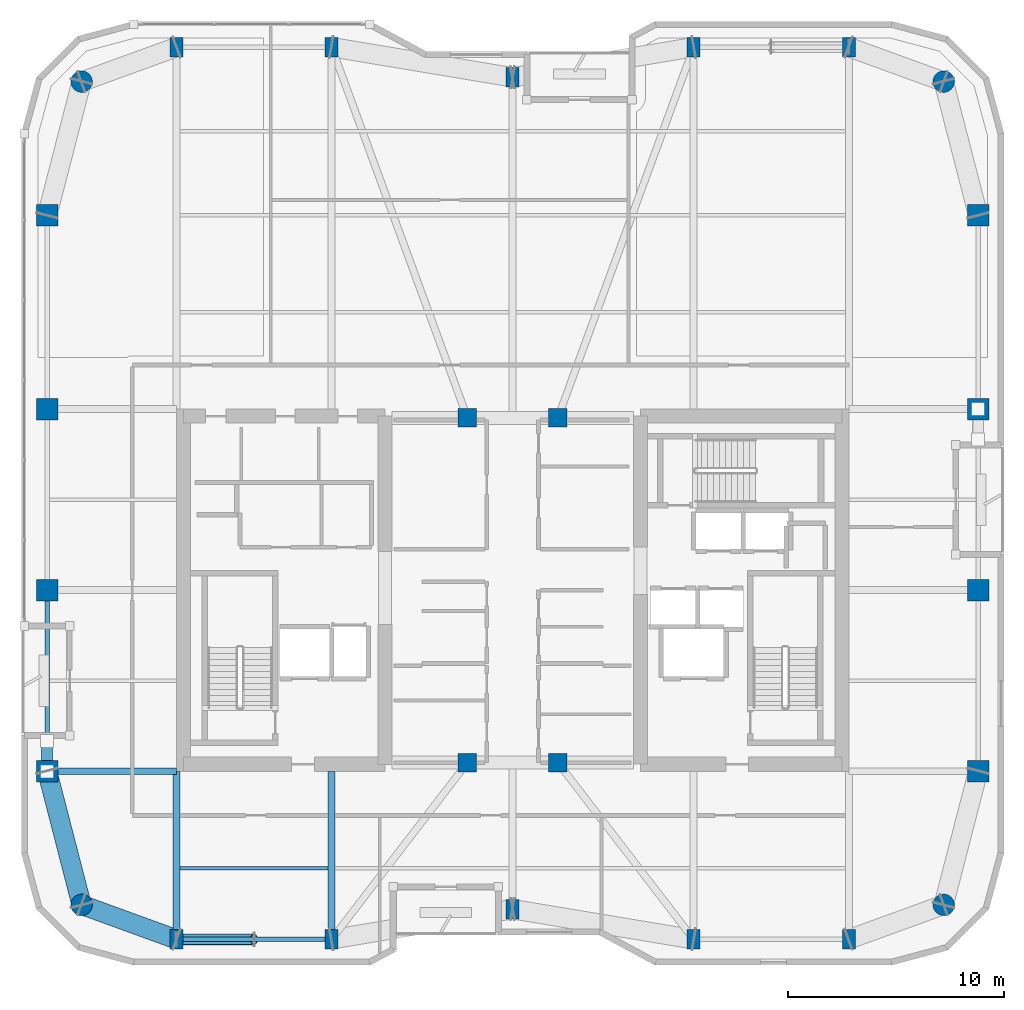
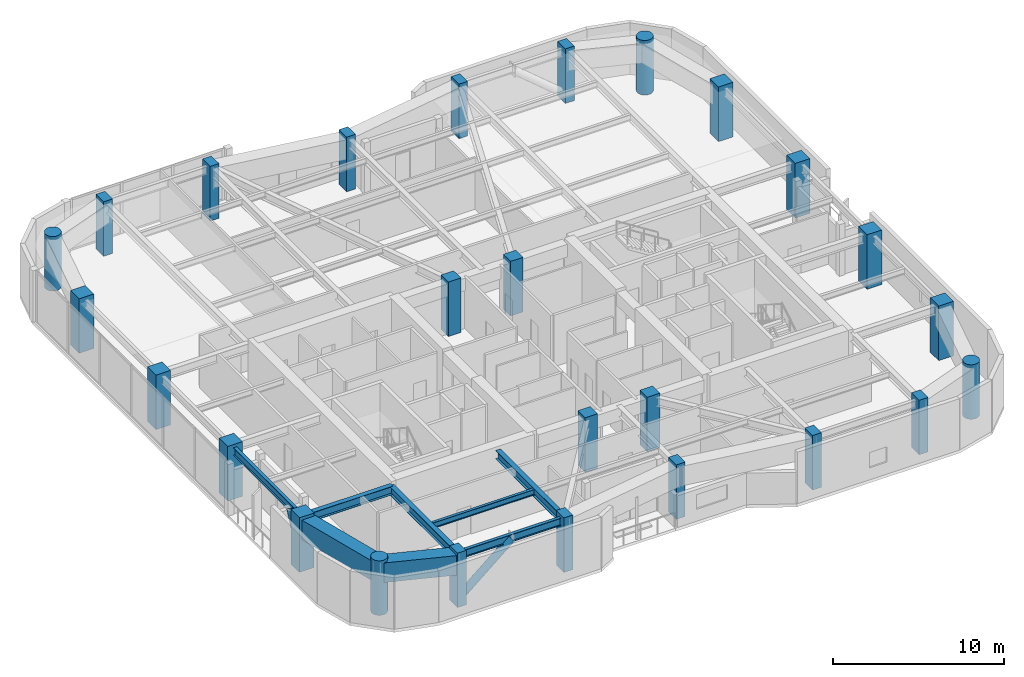
# One storey, part 1 of 21: 26 columns, 8 beams, 2 members.
"""IFC4 building model written with IfcOpenShell, lengths in metres."""

from ifc_helpers import new_model, si_unit, direction, frame, origin, origin_2d, place, context, subcontext, project, spatial, rectangle, hollow_rectangle, circle, hollow_circle, i_section, extrude, material, material_profile, profile_set, type_object, element, save


model = new_model("IFC4")

# Units and contexts
model_context = context("Model", 3, precision=1e-05, world=origin(), true_north=direction((0.0, 1.0)))
body_context = subcontext(model_context, "Body", "Model", "MODEL_VIEW")
ifc_project = project(units=[si_unit("LENGTHUNIT", "METRE"), si_unit("AREAUNIT", "SQUARE_METRE"), si_unit("VOLUMEUNIT", "CUBIC_METRE"), si_unit("PLANEANGLEUNIT", "RADIAN"), si_unit("MASSUNIT", "GRAM", prefix="KILO")], contexts=[model_context])

# Site, building, storey
site_placement = place(None, origin())
site = spatial("IfcSite", under=ifc_project, at=site_placement, CompositionType="ELEMENT")
building_placement = place(site_placement, origin())
building = spatial("IfcBuilding", under=site, at=building_placement, Name="Kiyonajd Concourse Tower", CompositionType="ELEMENT")
storey_placement = place(building_placement, frame((0.0, 0.0, 231.0)))
storey = spatial("IfcBuildingStorey", under=building, at=storey_placement, Name="L58", CompositionType="ELEMENT", Elevation=231.0)

# Columns
ifc_material_1 = material(Name="Concrete C60/75", Category="concrete")
ifc_material_profile_1 = material_profile(ifc_material_1, rectangle(XDim=0.60009765625, YDim=0.89990234375, at=origin_2d()), Name="RC-900x600")
ifc_profile_set_1 = profile_set([ifc_material_profile_1], Name="Concrete C60/75")
column_type_1 = type_object("IfcColumnType", Name="CL-BLADE-900", PredefinedType="COLUMN", material=ifc_profile_set_1)
for number, where, z_axis, x_axis, name in (
    (1, (32.39990234375, 19.800048828125, 0.0), (0.0, 0.0, 1.0), (1.0, 0.0, 0.0), "L58 Perimeter Bundled Tube Column"),
    (2, (32.39990234375, 61.199951171875, 0.0), (0.0, 0.0, 1.0), (1.0, 0.0, 0.0), "L58 Perimeter Bundled Tube Column"),
    (3, (39.60009765625, 19.800048828125, 0.0), (0.0, 0.0, 1.0), (1.0, 0.0, 0.0), "L58 Perimeter Bundled Tube Column"),
    (4, (39.60009765625, 61.199951171875, 0.0), (0.0, 0.0, 1.0), (1.0, 0.0, 0.0), "L58 Perimeter Bundled Tube Column"),
    (5, (48.0, 21.199951171875, 0.0), (0.0, 0.0, 1.0), (1.0, 0.0, 0.0), "L58 Perimeter Bundled Tube Column"),
    (6, (48.0, 59.800048828125, 0.0), (0.0, 0.0, 1.0), (1.0, 0.0, 0.0), "L58 Perimeter Bundled Tube Column"),
    (7, (56.39990234375, 19.800048828125, 0.0), (0.0, 0.0, 1.0), (1.0, 0.0, 0.0), "L58 Perimeter Bundled Tube Column"),
    (8, (56.39990234375, 61.199951171875, 0.0), (0.0, 0.0, 1.0), (1.0, 0.0, 0.0), "L58 Perimeter Bundled Tube Column"),
    (9, (63.60009765625, 19.800048828125, 0.0), (0.0, 0.0, 1.0), (1.0, 0.0, 0.0), "L58 Perimeter Bundled Tube Column"),
    (10, (63.60009765625, 61.199951171875, 0.0), (0.0, 0.0, 1.0), (1.0, 0.0, 0.0), "L58 Perimeter Bundled Tube Column"),
):
    element("IfcColumn", number, at=place(storey_placement, frame(where, z_axis=z_axis, x_axis=x_axis)), inside=storey, type_object=column_type_1, Name=name, PredefinedType="COLUMN", context=body_context, shape_type="SweptSolid", body=[
        extrude(rectangle(XDim=0.60009765625, YDim=0.89990234375, at=origin_2d()), origin(), (0.0, 0.0, 1.0), 3.89990234375),
    ])
ifc_material_profile_2 = material_profile(ifc_material_1, circle(Radius=0.5, at=origin_2d()), Name="RCC-D1000")
ifc_profile_set_2 = profile_set([ifc_material_profile_2], Name="Concrete C60/75")
column_type_2 = type_object("IfcColumnType", Name="CL-RND-1000", PredefinedType="COLUMN", material=ifc_profile_set_2)
for number, where, z_axis, x_axis, name in (
    (11, (28.0, 21.39990234375, 0.0), (0.0, 0.0, 1.0), (1.0, 0.0, 0.0), "L58 Bundled Tube Corner Column South West"),
    (12, (68.0, 21.39990234375, 0.0), (0.0, 0.0, 1.0), (1.0, 0.0, 0.0), "L58 Bundled Tube Corner Column South East"),
    (13, (68.0, 59.60009765625, 0.0), (0.0, 0.0, 1.0), (1.0, 0.0, 0.0), "L58 Bundled Tube Corner Column North East"),
    (14, (28.0, 59.60009765625, 0.0), (0.0, 0.0, 1.0), (1.0, 0.0, 0.0), "L58 Bundled Tube Corner Column North West"),
):
    element("IfcColumn", number, at=place(storey_placement, frame(where, z_axis=z_axis, x_axis=x_axis)), inside=storey, type_object=column_type_2, Name=name, PredefinedType="COLUMN", context=body_context, shape_type="SweptSolid", body=[
        extrude(circle(Radius=0.5, at=origin_2d()), origin(), (0.0, 0.0, 1.0), 3.89990234375),
    ])
ifc_material_profile_3 = material_profile(ifc_material_1, rectangle(XDim=1.0, YDim=1.0, at=origin_2d()), Name="RC-1000x1000")
ifc_profile_set_3 = profile_set([ifc_material_profile_3], Name="Concrete C60/75")
column_type_3 = type_object("IfcColumnType", Name="CL-TUBE-1000", PredefinedType="COLUMN", material=ifc_profile_set_3)
for number, where, z_axis, x_axis, name in (
    (15, (26.39990234375, 27.60009765625, 0.0), (0.0, 0.0, 1.0), (1.0, 0.0, 0.0), "L58 Perimeter Bundled Tube Column"),
    (16, (69.60009765625, 27.60009765625, 0.0), (0.0, 0.0, 1.0), (1.0, 0.0, 0.0), "L58 Perimeter Bundled Tube Column"),
    (17, (26.39990234375, 36.0, 0.0), (0.0, 0.0, 1.0), (1.0, 0.0, 0.0), "L58 Perimeter Bundled Tube Column"),
    (18, (69.60009765625, 36.0, 0.0), (0.0, 0.0, 1.0), (1.0, 0.0, 0.0), "L58 Perimeter Bundled Tube Column"),
    (19, (26.39990234375, 44.39990234375, 0.0), (0.0, 0.0, 1.0), (1.0, 0.0, 0.0), "L58 Perimeter Bundled Tube Column"),
    (20, (69.60009765625, 44.39990234375, 0.0), (0.0, 0.0, 1.0), (1.0, 0.0, 0.0), "L58 Perimeter Bundled Tube Column"),
    (21, (26.39990234375, 53.39990234375, 0.0), (0.0, 0.0, 1.0), (1.0, 0.0, 0.0), "L58 Perimeter Bundled Tube Column"),
    (22, (69.60009765625, 53.39990234375, 0.0), (0.0, 0.0, 1.0), (1.0, 0.0, 0.0), "L58 Perimeter Bundled Tube Column"),
):
    element("IfcColumn", number, at=place(storey_placement, frame(where, z_axis=z_axis, x_axis=x_axis)), inside=storey, type_object=column_type_3, Name=name, PredefinedType="COLUMN", context=body_context, shape_type="SweptSolid", body=[
        extrude(rectangle(XDim=1.0, YDim=1.0, at=origin_2d()), origin(), (0.0, 0.0, 1.0), 3.89990234375),
    ])
ifc_material_profile_4 = material_profile(ifc_material_1, rectangle(XDim=0.85009765625, YDim=0.85009765625, at=origin_2d()), Name="RC-850x850")
ifc_profile_set_4 = profile_set([ifc_material_profile_4], Name="Concrete C60/75")
column_type_4 = type_object("IfcColumnType", Name="CL-TUBE-850", PredefinedType="COLUMN", material=ifc_profile_set_4)
for number, where, z_axis, x_axis, name in (
    (23, (45.89990234375, 28.0, 0.0), (0.0, 0.0, 1.0), (1.0, 0.0, 0.0), "L58 Core Tie Column South West"),
    (24, (50.10009765625, 28.0, 0.0), (0.0, 0.0, 1.0), (1.0, 0.0, 0.0), "L58 Core Tie Column South East"),
    (25, (45.89990234375, 44.0, 0.0), (0.0, 0.0, 1.0), (1.0, 0.0, 0.0), "L58 Core Tie Column North West"),
    (26, (50.10009765625, 44.0, 0.0), (0.0, 0.0, 1.0), (1.0, 0.0, 0.0), "L58 Core Tie Column North East"),
):
    element("IfcColumn", number, at=place(storey_placement, frame(where, z_axis=z_axis, x_axis=x_axis)), inside=storey, type_object=column_type_4, Name=name, PredefinedType="COLUMN", context=body_context, shape_type="SweptSolid", body=[
        extrude(rectangle(XDim=0.85009765625, YDim=0.85009765625, at=origin_2d()), origin(), (0.0, 0.0, 1.0), 3.89990234375),
    ])

# Beams
ifc_material_2 = material(Name="Steel ASTM A992 Grade 50", Category="steel")
ifc_material_profile_5 = material_profile(ifc_material_2, i_section(OverallWidth=0.180908203125, OverallDepth=0.4169921875, WebThickness=0.010986328125, FlangeThickness=0.018310546875, at=origin_2d()), Name="W410X85")
ifc_profile_set_5 = profile_set([ifc_material_profile_5], Name="Steel ASTM A992 Grade 50")
beam_type_1 = type_object("IfcBeamType", Name="BM-JST-410", PredefinedType="JOIST", material=ifc_profile_set_5)
beam_1_placement = place(storey_placement, frame((32.56201171875, 23.10009765625, 3.471435546875), z_axis=(1.0, 0.0, 0.0), x_axis=(0.0, 1.0, 0.0)))
element("IfcBeam", 27, at=beam_1_placement, inside=storey, type_object=beam_type_1, Name="L58 Secondary Floor Joist", PredefinedType="JOIST", context=body_context, shape_type="SweptSolid", body=[
    extrude(i_section(OverallWidth=0.180908203125, OverallDepth=0.4169921875, WebThickness=0.010986328125, FlangeThickness=0.018310546875, at=origin_2d()), origin(), (0.0, 0.0, 1.0), 6.8759765625),
])
ifc_material_profile_6 = material_profile(ifc_material_2, i_section(OverallWidth=0.214111328125, OverallDepth=0.549072265625, WebThickness=0.0146484375, FlangeThickness=0.023681640625, at=origin_2d()), Name="W530X138")
ifc_profile_set_6 = profile_set([ifc_material_profile_6], Name="Steel ASTM A992 Grade 50")
beam_type_2 = type_object("IfcBeamType", Name="BM-SPAN-530A", PredefinedType="SPANDREL", material=ifc_profile_set_6)
beam_2_placement = place(storey_placement, frame((32.39990234375, 19.800048828125, 3.405517578125), z_axis=(1.0, 0.0, 0.0), x_axis=(0.0, 1.0, 0.0)))
element("IfcBeam", 28, at=beam_2_placement, inside=storey, type_object=beam_type_2, Name="L58 Perimeter Bundled Tube Spandrel", PredefinedType="SPANDREL", context=body_context, shape_type="SweptSolid", body=[
    extrude(i_section(OverallWidth=0.214111328125, OverallDepth=0.549072265625, WebThickness=0.0146484375, FlangeThickness=0.023681640625, at=origin_2d()), origin(), (0.0, 0.0, 1.0), 7.2001953125),
])
beam_3_placement = place(storey_placement, frame((26.39990234375, 36.0, 3.405517578125), z_axis=(0.0, -1.0, 0.0), x_axis=(1.0, 0.0, 0.0)))
element("IfcBeam", 29, at=beam_3_placement, inside=storey, type_object=beam_type_2, Name="L58 Perimeter Bundled Tube Spandrel", PredefinedType="SPANDREL", context=body_context, shape_type="SweptSolid", body=[
    extrude(i_section(OverallWidth=0.214111328125, OverallDepth=0.549072265625, WebThickness=0.0146484375, FlangeThickness=0.023681640625, at=origin_2d()), origin(), (0.0, 0.0, 1.0), 8.39990234375),
])
ifc_material_profile_7 = material_profile(ifc_material_2, i_section(OverallWidth=0.323974609375, OverallDepth=0.611083984375, WebThickness=0.0126953125, FlangeThickness=0.01904296875, at=origin_2d()), Name="W610X155")
ifc_profile_set_7 = profile_set([ifc_material_profile_7], Name="Steel ASTM A992 Grade 50")
beam_type_3 = type_object("IfcBeamType", Name="BM-TWR-610B", PredefinedType="BEAM", material=ifc_profile_set_7)
for number, where, z_axis, x_axis, name in (
    (30, (32.39990234375, 19.800048828125, 3.37451171875), (0.0, 1.0, 0.0), (-1.0, 0.0, 0.0), "L58 South Lease Girder"),
    (31, (39.60009765625, 19.800048828125, 3.37451171875), (0.0, 1.0, 0.0), (-1.0, 0.0, 0.0), "L58 South Lease Girder"),
):
    element("IfcBeam", number, at=place(storey_placement, frame(where, z_axis=z_axis, x_axis=x_axis)), inside=storey, type_object=beam_type_3, Name=name, PredefinedType="BEAM", context=body_context, shape_type="SweptSolid", body=[
        extrude(i_section(OverallWidth=0.323974609375, OverallDepth=0.611083984375, WebThickness=0.0126953125, FlangeThickness=0.01904296875, at=origin_2d()), origin(), (0.0, 0.0, 1.0), 7.800048828125),
    ])
beam_4_placement = place(storey_placement, frame((26.39990234375, 27.60009765625, 3.37451171875), z_axis=(1.0, 0.0, 0.0), x_axis=(0.0, 1.0, 0.0)))
element("IfcBeam", 32, at=beam_4_placement, inside=storey, type_object=beam_type_3, Name="L58 West Lease Girder", PredefinedType="BEAM", context=body_context, shape_type="SweptSolid", body=[
    extrude(i_section(OverallWidth=0.323974609375, OverallDepth=0.611083984375, WebThickness=0.0126953125, FlangeThickness=0.01904296875, at=origin_2d()), origin(), (0.0, 0.0, 1.0), 6.0),
])
ifc_material_3 = material(Name="Steel ASTM A572 Grade 50", Category="steel")
ifc_material_profile_8 = material_profile(ifc_material_3, hollow_rectangle(XDim=0.89990234375, YDim=1.39990234375, WallThickness=0.070068359375, at=origin_2d()), Name="BOX-1400x900x70")
ifc_profile_set_8 = profile_set([ifc_material_profile_8], Name="Steel ASTM A572 Grade 50")
beam_type_4 = type_object("IfcBeamType", Name="BM-XFER-1400", PredefinedType="BEAM", material=ifc_profile_set_8)
beam_5_placement = place(storey_placement, frame((26.39990234375, 27.60009765625, 2.97998046875), z_axis=(0.249884937687, -0.968275538221, 0.0), x_axis=(0.968275538221, 0.249884937687, 0.0)))
element("IfcBeam", 33, at=beam_5_placement, inside=storey, type_object=beam_type_4, Name="L58 Perimeter Bundled Tube Spandrel", PredefinedType="BEAM", context=body_context, shape_type="SweptSolid", body=[
    extrude(hollow_rectangle(XDim=0.89990234375, YDim=1.39990234375, WallThickness=0.070068359375, at=origin_2d()), origin(), (0.0, 0.0, 1.0), 6.4033203125),
])
beam_6_placement = place(storey_placement, frame((28.0, 21.39990234375, 2.97998046875), z_axis=(0.939801036019, -0.341722127901, 0.0), x_axis=(0.341722127901, 0.939801036019, 0.0)))
element("IfcBeam", 34, at=beam_6_placement, inside=storey, type_object=beam_type_4, Name="L58 Perimeter Bundled Tube Spandrel", PredefinedType="BEAM", context=body_context, shape_type="SweptSolid", body=[
    extrude(hollow_rectangle(XDim=0.89990234375, YDim=1.39990234375, WallThickness=0.070068359375, at=origin_2d()), origin(), (0.0, 0.0, 1.0), 4.681640625),
])

# Members
ifc_material_4 = material(Name="Steel ASTM A500 Grade C", Category="steel")
ifc_material_profile_9 = material_profile(ifc_material_4, hollow_circle(Radius=0.25390625, WallThickness=0.02197265625, at=origin_2d()), Name="CHS-508x22")
ifc_profile_set_9 = profile_set([ifc_material_profile_9], Name="Steel ASTM A500 Grade C")
member_type = type_object("IfcMemberType", Name="MB-PB-MID", PredefinedType="BRACE", material=ifc_profile_set_9)
member_1_placement = place(storey_placement, frame((32.39990234375, 19.800048828125, 0.300048828125), z_axis=(0.765082043761, 0.0, 0.643932811957), x_axis=(0.0, 1.0, 0.0)))
element("IfcMember", 35, at=member_1_placement, inside=storey, type_object=member_type, Name="L58 Upper Zone Hollow Tube Brace PBS", PredefinedType="BRACE", context=body_context, shape_type="SweptSolid", body=[
    extrude(hollow_circle(Radius=0.25390625, WallThickness=0.02197265625, at=origin_2d()), origin(), (0.0, 0.0, 1.0), 4.70556640625),
])
member_2_placement = place(storey_placement, frame((26.39990234375, 27.60009765625, 0.300048828125), z_axis=(0.0, 0.419410666774, 0.907796614114), x_axis=(-1.0, 0.0, 0.0)))
element("IfcMember", 36, at=member_2_placement, inside=storey, type_object=member_type, Name="L58 Upper Zone Hollow Tube Brace PBW", PredefinedType="BRACE", context=body_context, shape_type="SweptSolid", body=[
    extrude(hollow_circle(Radius=0.25390625, WallThickness=0.02197265625, at=origin_2d()), origin(), (0.0, 0.0, 1.0), 3.337890625),
])

save(model, "model.ifc")
